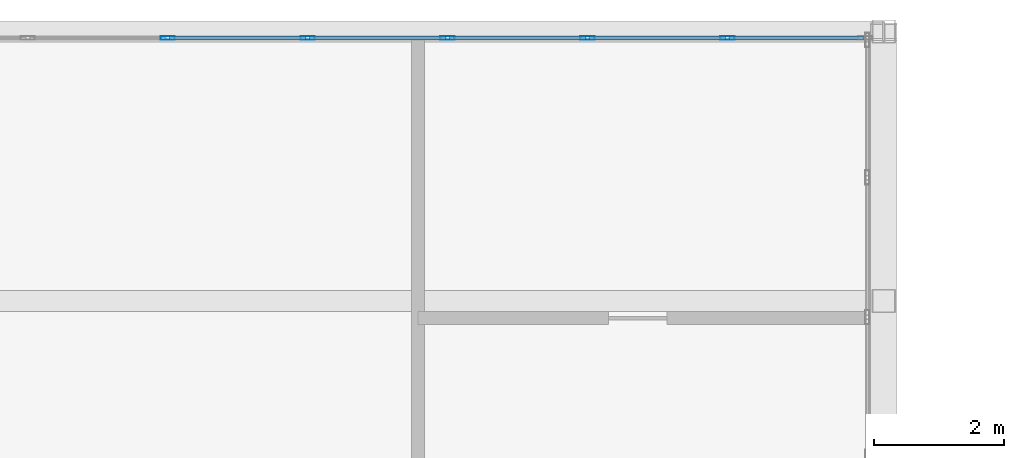
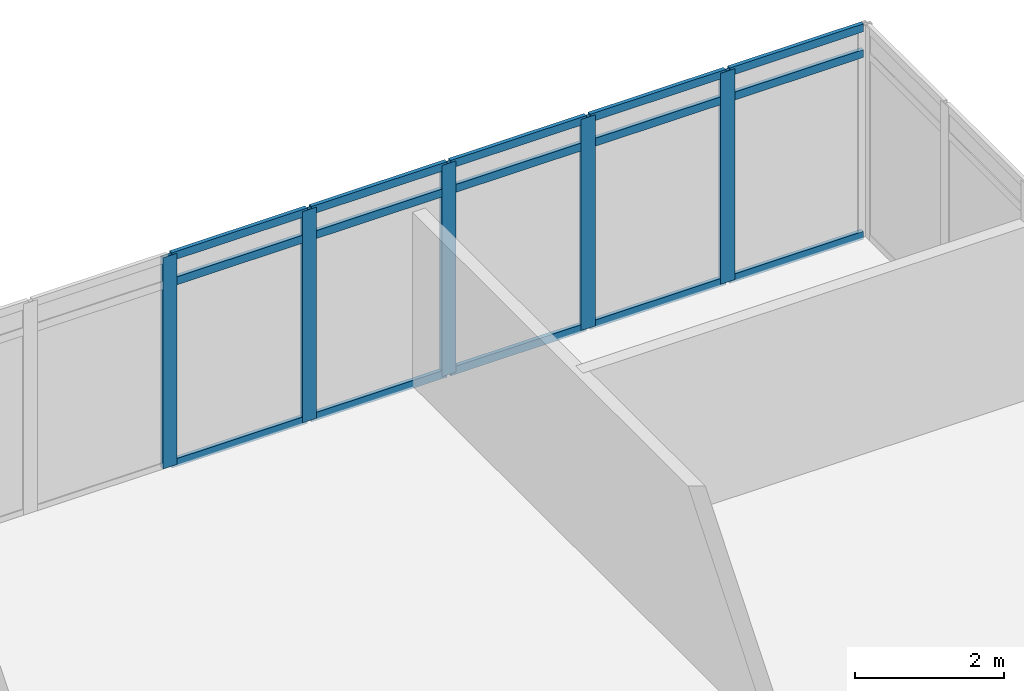
# One storey, part 24 of 38: 20 members, 1 element without a shape of its own.
"""IFC4 building model written with IfcOpenShell, lengths in metres."""

from ifc_helpers import new_model, si_unit, direction, frame, origin, origin_2d, place, context, subcontext, project, spatial, hollow_rectangle, extrude, material, material_profile, profile_set, type_object, element, aggregate, save


model = new_model("IFC4")

# Units and contexts
model_context = context("Model", 3, precision=1e-05, world=origin(), true_north=direction((0.0, 1.0)))
body_context = subcontext(model_context, "Body", "Model", "MODEL_VIEW")
ifc_project = project(units=[si_unit("LENGTHUNIT", "METRE"), si_unit("AREAUNIT", "SQUARE_METRE"), si_unit("VOLUMEUNIT", "CUBIC_METRE"), si_unit("PLANEANGLEUNIT", "RADIAN"), si_unit("MASSUNIT", "GRAM", prefix="KILO")], contexts=[model_context])

# Site, building, storey
site_placement = place(None, origin())
site = spatial("IfcSite", under=ifc_project, at=site_placement, CompositionType="ELEMENT")
building_placement = place(site_placement, origin())
building = spatial("IfcBuilding", under=site, at=building_placement, Name="Ostrander Bayou Hotel Tower", CompositionType="ELEMENT")
storey_placement = place(building_placement, frame((0.0, 0.0, 194.5)))
storey = spatial("IfcBuildingStorey", under=building, at=storey_placement, Name="L48", CompositionType="ELEMENT", Elevation=194.5)

# Curtain wall, members
ifc_material_1 = material(Name="Aluminium and clear glass", Category="aluminium")
curtain_wall_type = type_object("IfcCurtainWallType", Name="CW-BAR glazed wall", PredefinedType="NOTDEFINED", material=ifc_material_1)
curtain_wall_placement = place(storey_placement, origin())
curtain_wall = element("IfcCurtainWall", 1, at=curtain_wall_placement, inside=storey, type_object=curtain_wall_type, Name="CW-BAR L48:SB4N:T", PredefinedType="NOTDEFINED")
ifc_material_2 = material(Name="Aluminium", Category="aluminium")
ifc_material_profile_1 = material_profile(ifc_material_2, hollow_rectangle(XDim=0.06005859375, YDim=0.219970703125, WallThickness=0.00390625, at=origin_2d()))
ifc_profile_set_1 = profile_set([ifc_material_profile_1], Name="Aluminium")
member_type_1 = type_object("IfcMemberType", Name="CW-BR mullion 60 x 220 mm", PredefinedType="MULLION", material=ifc_profile_set_1)
member_1_placement = place(storey_placement, frame((1.077880859375, 27.916015625, 0.0), z_axis=(0.0, 0.0, 1.0), x_axis=(0.0, 1.0, 0.0)))
member_1 = element("IfcMember", 2, at=member_1_placement, type_object=member_type_1, Name="CW-BAR mullion 7", PredefinedType="MULLION", context=body_context, shape_type="SweptSolid", body=[
    extrude(hollow_rectangle(XDim=0.06005859375, YDim=0.219970703125, WallThickness=0.00390625, at=origin_2d()), origin(), (0.0, 0.0, 1.0), 3.449951171875),
])
member_2_placement = place(storey_placement, frame((3.23388671875, 27.916015625, 0.0), z_axis=(0.0, 0.0, 1.0), x_axis=(0.0, 1.0, 0.0)))
member_2 = element("IfcMember", 3, at=member_2_placement, type_object=member_type_1, Name="CW-BAR mullion 8", PredefinedType="MULLION", context=body_context, shape_type="SweptSolid", body=[
    extrude(hollow_rectangle(XDim=0.06005859375, YDim=0.219970703125, WallThickness=0.00390625, at=origin_2d()), origin(), (0.0, 0.0, 1.0), 3.449951171875),
])
member_3_placement = place(storey_placement, frame((5.3896484375, 27.916015625, 0.0), z_axis=(0.0, 0.0, 1.0), x_axis=(0.0, 1.0, 0.0)))
member_3 = element("IfcMember", 4, at=member_3_placement, type_object=member_type_1, Name="CW-BAR mullion 9", PredefinedType="MULLION", context=body_context, shape_type="SweptSolid", body=[
    extrude(hollow_rectangle(XDim=0.06005859375, YDim=0.219970703125, WallThickness=0.00390625, at=origin_2d()), origin(), (0.0, 0.0, 1.0), 3.449951171875),
])
member_4_placement = place(storey_placement, frame((7.54541015625, 27.916015625, 0.0), z_axis=(0.0, 0.0, 1.0), x_axis=(0.0, 1.0, 0.0)))
member_4 = element("IfcMember", 5, at=member_4_placement, type_object=member_type_1, Name="CW-BAR mullion 10", PredefinedType="MULLION", context=body_context, shape_type="SweptSolid", body=[
    extrude(hollow_rectangle(XDim=0.06005859375, YDim=0.219970703125, WallThickness=0.00390625, at=origin_2d()), origin(), (0.0, 0.0, 1.0), 3.449951171875),
])
member_5_placement = place(storey_placement, frame((9.701416015625, 27.916015625, 0.0), z_axis=(0.0, 0.0, 1.0), x_axis=(0.0, 1.0, 0.0)))
member_5 = element("IfcMember", 6, at=member_5_placement, type_object=member_type_1, Name="CW-BAR mullion 11", PredefinedType="MULLION", context=body_context, shape_type="SweptSolid", body=[
    extrude(hollow_rectangle(XDim=0.06005859375, YDim=0.219970703125, WallThickness=0.00390625, at=origin_2d()), origin(), (0.0, 0.0, 1.0), 3.449951171875),
])
ifc_material_3 = material(Name="Aluminium", Category="aluminium")
ifc_material_profile_2 = material_profile(ifc_material_3, hollow_rectangle(XDim=0.06005859375, YDim=0.1298828125, WallThickness=0.00390625, at=origin_2d()))
ifc_profile_set_2 = profile_set([ifc_material_profile_2], Name="Aluminium")
member_type_2 = type_object("IfcMemberType", Name="CW-BR transom 60 x 130 mm", PredefinedType="USERDEFINED", material=ifc_profile_set_2)
member_6_placement = place(storey_placement, frame((1.10791015625, 27.916015625, 0.030029296875), z_axis=(1.0, 0.0, 0.0), x_axis=(0.0, 1.0, 0.0)))
member_6 = element("IfcMember", 7, at=member_6_placement, type_object=member_type_2, Name="CW-BAR transom 7.1", ObjectType="TRANSOM", PredefinedType="USERDEFINED", context=body_context, shape_type="SweptSolid", body=[
    extrude(hollow_rectangle(XDim=0.06005859375, YDim=0.1298828125, WallThickness=0.00390625, at=origin_2d()), origin(), (0.0, 0.0, 1.0), 2.095947265625),
])
member_7_placement = place(storey_placement, frame((1.10791015625, 27.916015625, 3.0), z_axis=(1.0, 0.0, 0.0), x_axis=(0.0, 1.0, 0.0)))
member_7 = element("IfcMember", 8, at=member_7_placement, type_object=member_type_2, Name="CW-BAR transom 7.2", ObjectType="TRANSOM", PredefinedType="USERDEFINED", context=body_context, shape_type="SweptSolid", body=[
    extrude(hollow_rectangle(XDim=0.06005859375, YDim=0.1298828125, WallThickness=0.00390625, at=origin_2d()), origin(), (0.0, 0.0, 1.0), 2.095947265625),
])
member_8_placement = place(storey_placement, frame((1.10791015625, 27.916015625, 3.419921875), z_axis=(1.0, 0.0, 0.0), x_axis=(0.0, 1.0, 0.0)))
member_8 = element("IfcMember", 9, at=member_8_placement, type_object=member_type_2, Name="CW-BAR transom 7.3", ObjectType="TRANSOM", PredefinedType="USERDEFINED", context=body_context, shape_type="SweptSolid", body=[
    extrude(hollow_rectangle(XDim=0.06005859375, YDim=0.1298828125, WallThickness=0.00390625, at=origin_2d()), origin(), (0.0, 0.0, 1.0), 2.095947265625),
])
member_9_placement = place(storey_placement, frame((3.263671875, 27.916015625, 0.030029296875), z_axis=(1.0, 0.0, 0.0), x_axis=(0.0, 1.0, 0.0)))
member_9 = element("IfcMember", 10, at=member_9_placement, type_object=member_type_2, Name="CW-BAR transom 8.1", ObjectType="TRANSOM", PredefinedType="USERDEFINED", context=body_context, shape_type="SweptSolid", body=[
    extrude(hollow_rectangle(XDim=0.06005859375, YDim=0.1298828125, WallThickness=0.00390625, at=origin_2d()), origin(), (0.0, 0.0, 1.0), 2.095947265625),
])
member_10_placement = place(storey_placement, frame((3.263671875, 27.916015625, 3.0), z_axis=(1.0, 0.0, 0.0), x_axis=(0.0, 1.0, 0.0)))
member_10 = element("IfcMember", 11, at=member_10_placement, type_object=member_type_2, Name="CW-BAR transom 8.2", ObjectType="TRANSOM", PredefinedType="USERDEFINED", context=body_context, shape_type="SweptSolid", body=[
    extrude(hollow_rectangle(XDim=0.06005859375, YDim=0.1298828125, WallThickness=0.00390625, at=origin_2d()), origin(), (0.0, 0.0, 1.0), 2.095947265625),
])
member_11_placement = place(storey_placement, frame((3.263671875, 27.916015625, 3.419921875), z_axis=(1.0, 0.0, 0.0), x_axis=(0.0, 1.0, 0.0)))
member_11 = element("IfcMember", 12, at=member_11_placement, type_object=member_type_2, Name="CW-BAR transom 8.3", ObjectType="TRANSOM", PredefinedType="USERDEFINED", context=body_context, shape_type="SweptSolid", body=[
    extrude(hollow_rectangle(XDim=0.06005859375, YDim=0.1298828125, WallThickness=0.00390625, at=origin_2d()), origin(), (0.0, 0.0, 1.0), 2.095947265625),
])
member_12_placement = place(storey_placement, frame((5.419677734375, 27.916015625, 0.030029296875), z_axis=(1.0, 0.0, 0.0), x_axis=(0.0, 1.0, 0.0)))
member_12 = element("IfcMember", 13, at=member_12_placement, type_object=member_type_2, Name="CW-BAR transom 9.1", ObjectType="TRANSOM", PredefinedType="USERDEFINED", context=body_context, shape_type="SweptSolid", body=[
    extrude(hollow_rectangle(XDim=0.06005859375, YDim=0.1298828125, WallThickness=0.00390625, at=origin_2d()), origin(), (0.0, 0.0, 1.0), 2.095703125),
])
member_13_placement = place(storey_placement, frame((5.419677734375, 27.916015625, 3.0), z_axis=(1.0, 0.0, 0.0), x_axis=(0.0, 1.0, 0.0)))
member_13 = element("IfcMember", 14, at=member_13_placement, type_object=member_type_2, Name="CW-BAR transom 9.2", ObjectType="TRANSOM", PredefinedType="USERDEFINED", context=body_context, shape_type="SweptSolid", body=[
    extrude(hollow_rectangle(XDim=0.06005859375, YDim=0.1298828125, WallThickness=0.00390625, at=origin_2d()), origin(), (0.0, 0.0, 1.0), 2.095703125),
])
member_14_placement = place(storey_placement, frame((5.419677734375, 27.916015625, 3.419921875), z_axis=(1.0, 0.0, 0.0), x_axis=(0.0, 1.0, 0.0)))
member_14 = element("IfcMember", 15, at=member_14_placement, type_object=member_type_2, Name="CW-BAR transom 9.3", ObjectType="TRANSOM", PredefinedType="USERDEFINED", context=body_context, shape_type="SweptSolid", body=[
    extrude(hollow_rectangle(XDim=0.06005859375, YDim=0.1298828125, WallThickness=0.00390625, at=origin_2d()), origin(), (0.0, 0.0, 1.0), 2.095703125),
])
member_15_placement = place(storey_placement, frame((7.575439453125, 27.916015625, 0.030029296875), z_axis=(1.0, 0.0, 0.0), x_axis=(0.0, 1.0, 0.0)))
member_15 = element("IfcMember", 16, at=member_15_placement, type_object=member_type_2, Name="CW-BAR transom 10.1", ObjectType="TRANSOM", PredefinedType="USERDEFINED", context=body_context, shape_type="SweptSolid", body=[
    extrude(hollow_rectangle(XDim=0.06005859375, YDim=0.1298828125, WallThickness=0.00390625, at=origin_2d()), origin(), (0.0, 0.0, 1.0), 2.095947265625),
])
member_16_placement = place(storey_placement, frame((7.575439453125, 27.916015625, 3.0), z_axis=(1.0, 0.0, 0.0), x_axis=(0.0, 1.0, 0.0)))
member_16 = element("IfcMember", 17, at=member_16_placement, type_object=member_type_2, Name="CW-BAR transom 10.2", ObjectType="TRANSOM", PredefinedType="USERDEFINED", context=body_context, shape_type="SweptSolid", body=[
    extrude(hollow_rectangle(XDim=0.06005859375, YDim=0.1298828125, WallThickness=0.00390625, at=origin_2d()), origin(), (0.0, 0.0, 1.0), 2.095947265625),
])
member_17_placement = place(storey_placement, frame((7.575439453125, 27.916015625, 3.419921875), z_axis=(1.0, 0.0, 0.0), x_axis=(0.0, 1.0, 0.0)))
member_17 = element("IfcMember", 18, at=member_17_placement, type_object=member_type_2, Name="CW-BAR transom 10.3", ObjectType="TRANSOM", PredefinedType="USERDEFINED", context=body_context, shape_type="SweptSolid", body=[
    extrude(hollow_rectangle(XDim=0.06005859375, YDim=0.1298828125, WallThickness=0.00390625, at=origin_2d()), origin(), (0.0, 0.0, 1.0), 2.095947265625),
])
member_18_placement = place(storey_placement, frame((9.7314453125, 27.916015625, 0.030029296875), z_axis=(1.0, 0.0, 0.0), x_axis=(0.0, 1.0, 0.0)))
member_18 = element("IfcMember", 19, at=member_18_placement, type_object=member_type_2, Name="CW-BAR transom 11.1", ObjectType="TRANSOM", PredefinedType="USERDEFINED", context=body_context, shape_type="SweptSolid", body=[
    extrude(hollow_rectangle(XDim=0.06005859375, YDim=0.1298828125, WallThickness=0.00390625, at=origin_2d()), origin(), (0.0, 0.0, 1.0), 2.065673828125),
])
member_19_placement = place(storey_placement, frame((9.7314453125, 27.916015625, 3.0), z_axis=(1.0, 0.0, 0.0), x_axis=(0.0, 1.0, 0.0)))
member_19 = element("IfcMember", 20, at=member_19_placement, type_object=member_type_2, Name="CW-BAR transom 11.2", ObjectType="TRANSOM", PredefinedType="USERDEFINED", context=body_context, shape_type="SweptSolid", body=[
    extrude(hollow_rectangle(XDim=0.06005859375, YDim=0.1298828125, WallThickness=0.00390625, at=origin_2d()), origin(), (0.0, 0.0, 1.0), 2.065673828125),
])
member_20_placement = place(storey_placement, frame((9.7314453125, 27.916015625, 3.419921875), z_axis=(1.0, 0.0, 0.0), x_axis=(0.0, 1.0, 0.0)))
member_20 = element("IfcMember", 21, at=member_20_placement, type_object=member_type_2, Name="CW-BAR transom 11.3", ObjectType="TRANSOM", PredefinedType="USERDEFINED", context=body_context, shape_type="SweptSolid", body=[
    extrude(hollow_rectangle(XDim=0.06005859375, YDim=0.1298828125, WallThickness=0.00390625, at=origin_2d()), origin(), (0.0, 0.0, 1.0), 2.065673828125),
])
aggregate(curtain_wall, [member_1, member_2, member_3, member_4, member_5, member_6, member_7, member_8, member_9, member_10, member_11, member_12, member_13, member_14, member_15, member_16, member_17, member_18, member_19, member_20])

save(model, "model.ifc")
